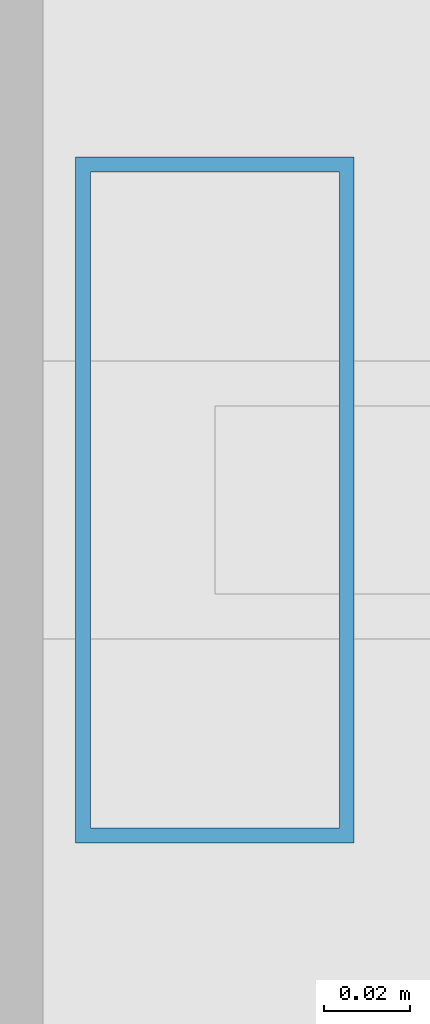
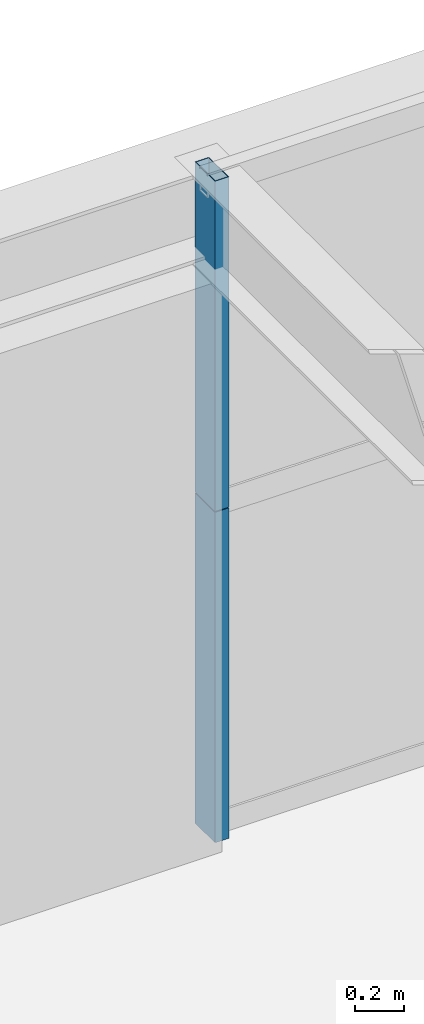
# One storey, part 22 of 34: 2 members, 1 element without a shape of its own.
"""IFC4 building model written with IfcOpenShell, lengths in metres."""

import ifcopenshell
import ifcopenshell.guid

model = None  # the IFC model being written
_history = None  # IfcOwnerHistory: only IFC2X3 demands one
_inside = {}  # id of a spatial element -> (the spatial element, [elements in it])
_under = {}  # id of a project, library or spatial element -> (it, [spatial elements below it])
_declared = {}  # id of a project -> (the project, [libraries it declares])
_typed = {}  # id of a type object -> (the type object, [elements of that type])
_made_of = {}  # id of a material, layer set ... -> (it, [elements and type objects made of it])


def new_model(schema):
    """Start an empty IFC model of exactly this schema.

    Asked for "IFC4X3", IfcOpenShell would pick the latest addendum, in which some entities
    have other attributes; the version numbers below select the first issue.
    IFC2X3 requires an IfcOwnerHistory on every rooted entity: one is made here for all.
    """
    global model, _history
    if schema == "IFC4X3":
        model = ifcopenshell.file(schema_version=(4, 3, 0, 0))
    else:
        model = ifcopenshell.file(schema=schema)
    _inside.clear()
    _under.clear()
    _declared.clear()
    _typed.clear()
    _made_of.clear()
    _history = None
    if model.schema == "IFC2X3":
        org = make("IfcOrganization", Name="unknown")
        user = make(
            "IfcPersonAndOrganization",
            ThePerson=make("IfcPerson", FamilyName="unknown"),
            TheOrganization=org,
        )
        app = make(
            "IfcApplication",
            ApplicationDeveloper=org,
            Version="unknown",
            ApplicationFullName="unknown",
            ApplicationIdentifier="unknown",
        )
        _history = make(
            "IfcOwnerHistory",
            OwningUser=user,
            OwningApplication=app,
            ChangeAction="ADDED",
            CreationDate=0,
        )
    return model


def make(cls, **values):
    """One entity of the class cls with the attributes given. An attribute that is None is left unset."""
    return model.create_entity(
        cls, **{name: value for name, value in values.items() if value is not None}
    )


def rooted(cls, **values):
    """An entity with a GlobalId (a new one), such as an element, a storey or a relation."""
    return make(cls, GlobalId=ifcopenshell.guid.new(), OwnerHistory=_history, **values)


def si_unit(unit_type, name, prefix=None):
    """IfcSIUnit, for example si_unit("LENGTHUNIT", "METRE", prefix="MILLI")."""
    return make("IfcSIUnit", UnitType=unit_type, Prefix=prefix, Name=name)


def assignment(units):
    """IfcUnitAssignment: the units of a project."""
    return None if units is None else make("IfcUnitAssignment", Units=units)


def point(xyz):
    """IfcCartesianPoint."""
    return None if xyz is None else make("IfcCartesianPoint", Coordinates=xyz)


def direction(xyz):
    """IfcDirection."""
    return None if xyz is None else make("IfcDirection", DirectionRatios=xyz)


def frame(location, z_axis=None, x_axis=None):
    """IfcAxis2Placement3D, a coordinate frame: its origin and axes. An axis left out is left unset."""
    return make(
        "IfcAxis2Placement3D",
        Location=point(location),
        Axis=direction(z_axis),
        RefDirection=direction(x_axis),
    )


def frame_2d(location, x_axis=None):
    """IfcAxis2Placement2D, a coordinate frame in the plane: its origin and x axis."""
    return make(
        "IfcAxis2Placement2D", Location=point(location), RefDirection=direction(x_axis)
    )


def origin():
    """The frame at (0, 0, 0) with its axes left unset."""
    return frame((0.0, 0.0, 0.0))


def origin_2d():
    """The frame at (0, 0) in the plane with its x axis left unset."""
    return frame_2d((0.0, 0.0))


def place(relative_to, where):
    """IfcLocalPlacement: puts the frame where relative to a parent placement (None: the world)."""
    return make(
        "IfcLocalPlacement", PlacementRelTo=relative_to, RelativePlacement=where
    )


def context(
    kind, dimensions, precision=None, world=None, true_north=None, identifier=None
):
    """IfcGeometricRepresentationContext, for example the 3D "Model" context."""
    return make(
        "IfcGeometricRepresentationContext",
        ContextIdentifier=identifier,
        ContextType=kind,
        CoordinateSpaceDimension=dimensions,
        Precision=precision,
        WorldCoordinateSystem=world,
        TrueNorth=true_north,
    )


def subcontext(parent, identifier, kind, view, scale=None):
    """IfcGeometricRepresentationSubContext, for example "Body" below "Model"."""
    return make(
        "IfcGeometricRepresentationSubContext",
        ContextIdentifier=identifier,
        ContextType=kind,
        ParentContext=parent,
        TargetScale=scale,
        TargetView=view,
    )


def project(units=None, contexts=None):
    """IfcProject with its units and contexts."""
    return rooted(
        "IfcProject",
        Name="project",
        RepresentationContexts=contexts,
        UnitsInContext=assignment(units),
    )


def spatial(cls, under=None, at=None, **own):
    """A site, building, storey or space (cls), placed at a placement, below another one or the project."""
    s = rooted(cls, ObjectPlacement=at, **own)
    if under is not None:
        _under.setdefault(under.id(), (under, []))[1].append(s)
    return s


def profile(cls, at=None, kind="AREA", **sizes):
    """A parametric profile (cls). Its sizes go by their IFC names, for example OverallWidth=200.0."""
    return make(cls, ProfileType=kind, Position=at, **sizes)


def hollow_rectangle(**sizes):
    """IfcRectangleHollowProfileDef."""
    return profile("IfcRectangleHollowProfileDef", **sizes)


def extrude(swept, where, along, depth):
    """IfcExtrudedAreaSolid: the profile swept, set in the frame where, extruded along a direction by depth."""
    return make(
        "IfcExtrudedAreaSolid",
        SweptArea=swept,
        Position=where,
        ExtrudedDirection=direction(along),
        Depth=depth,
    )


def shape(context_of_items, identifier, shape_type, items):
    """IfcShapeRepresentation: the items that make up one representation, for example the "Body"."""
    return make(
        "IfcShapeRepresentation",
        ContextOfItems=context_of_items,
        RepresentationIdentifier=identifier,
        RepresentationType=shape_type,
        Items=items,
    )


def source(mapping_origin, context_of_items, identifier, shape_type, items):
    """IfcRepresentationMap: a shape defined once, which mapped items show again and again."""
    return make(
        "IfcRepresentationMap",
        MappingOrigin=mapping_origin,
        MappedRepresentation=shape(context_of_items, identifier, shape_type, items),
    )


def transform(
    local_origin,
    x_axis=None,
    y_axis=None,
    z_axis=None,
    scale=None,
    scale2=None,
    scale3=None,
    uniform=True,
):
    """IfcCartesianTransformationOperator3D, or its non-uniform kind. x_axis, y_axis, z_axis: its Axis1, 2, 3."""
    if uniform:
        return make(
            "IfcCartesianTransformationOperator3D",
            Axis1=direction(x_axis),
            Axis2=direction(y_axis),
            LocalOrigin=point(local_origin),
            Scale=scale,
            Axis3=direction(z_axis),
        )
    return make(
        "IfcCartesianTransformationOperator3DnonUniform",
        Axis1=direction(x_axis),
        Axis2=direction(y_axis),
        LocalOrigin=point(local_origin),
        Scale=scale,
        Axis3=direction(z_axis),
        Scale2=scale2,
        Scale3=scale3,
    )


def mapped(mapping_source, mapping_target):
    """IfcMappedItem: shows the shape of a source again, moved by a transform."""
    return make(
        "IfcMappedItem", MappingSource=mapping_source, MappingTarget=mapping_target
    )


def material(Name=None, Category=None):
    """IfcMaterial."""
    return make("IfcMaterial", Name=Name, Category=Category)


def layer(
    of_material, thickness, ventilated=None, Name=None, Category=None, Priority=None
):
    """IfcMaterialLayer: one layer of a wall or slab, of a material (None: an air gap)."""
    return make(
        "IfcMaterialLayer",
        Material=of_material,
        LayerThickness=thickness,
        IsVentilated=ventilated,
        Name=Name,
        Category=Category,
        Priority=Priority,
    )


def layer_set(layers, Name=None):
    """IfcMaterialLayerSet."""
    return make("IfcMaterialLayerSet", MaterialLayers=layers, LayerSetName=Name)


def material_profile(
    of_material, cross_section, Name=None, Category=None, Priority=None
):
    """IfcMaterialProfile: a cross section and its material."""
    return make(
        "IfcMaterialProfile",
        Name=Name,
        Material=of_material,
        Profile=cross_section,
        Priority=Priority,
        Category=Category,
    )


def profile_set(profiles, Name=None, composite=None):
    """IfcMaterialProfileSet."""
    return make(
        "IfcMaterialProfileSet",
        Name=Name,
        MaterialProfiles=profiles,
        CompositeProfile=composite,
    )


def made_of(thing, what):
    """Note that an element or type object is made of a material, layer set ...; save() writes the relation."""
    if what is not None:
        _made_of.setdefault(what.id(), (what, []))[1].append(thing)
    return thing


def type_object(cls, material=None, **own):
    """A type object (cls), such as IfcWallType, which elements share."""
    return made_of(rooted(cls, **own), material)


def element(
    cls,
    number,
    at=None,
    inside=None,
    cuts=None,
    type_object=None,
    material=None,
    context=None,
    identifier="Body",
    shape_type=None,
    held_by="IfcProductDefinitionShape",
    body=None,
    shapes=None,
    **own,
):
    """One element of the class cls, such as IfcWall. Its Tag is "e" and its number.

    at: its placement. inside: the storey or other place that contains it. cuts: it is an
    opening in that element (IfcRelVoidsElement). A single representation is given by context,
    identifier, shape_type and body (its items); several are given by shapes. held_by: the class
    of the entity that holds the representations. save() writes the other relations.
    """
    e = rooted(cls, Tag="e%d" % number, ObjectPlacement=at, **own)
    if body is not None:
        shapes = [shape(context, identifier, shape_type, body)]
    if shapes is not None:
        e.Representation = make(held_by, Representations=shapes)
    if inside is not None:
        _inside.setdefault(inside.id(), (inside, []))[1].append(e)
    if cuts is not None:
        rooted(
            "IfcRelVoidsElement", RelatingBuildingElement=cuts, RelatedOpeningElement=e
        )
    if type_object is not None:
        _typed.setdefault(type_object.id(), (type_object, []))[1].append(e)
    return made_of(e, material)


def aggregate(whole, parts):
    """IfcRelAggregates: a whole, such as a stair, and the parts it consists of."""
    return rooted("IfcRelAggregates", RelatingObject=whole, RelatedObjects=parts)


def save(model, path):
    """Write the relations noted so far, then the file.

    IfcRelAggregates (storeys below a building ...), IfcRelContainedInSpatialStructure (elements
    in a storey), IfcRelDefinesByType, IfcRelAssociatesMaterial and IfcRelDeclares: one each for
    every whole, place, type object, material and project.
    """
    for whole, parts in _under.values():
        aggregate(whole, parts)
    for where, things in _inside.values():
        rooted(
            "IfcRelContainedInSpatialStructure",
            RelatedElements=things,
            RelatingStructure=where,
        )
    for kind, things in _typed.values():
        rooted("IfcRelDefinesByType", RelatedObjects=things, RelatingType=kind)
    for what, things in _made_of.values():
        rooted("IfcRelAssociatesMaterial", RelatedObjects=things, RelatingMaterial=what)
    for by, libraries in _declared.values():
        rooted("IfcRelDeclares", RelatingContext=by, RelatedDefinitions=libraries)
    model.write(path)


model = new_model("IFC4")

# Units and contexts
model_context = context("Model", 3, precision=1e-05, world=origin(), true_north=direction((0.0, 1.0)))
body_context = subcontext(model_context, "Body", "Model", "MODEL_VIEW")
ifc_project = project(units=[si_unit("LENGTHUNIT", "METRE"), si_unit("AREAUNIT", "SQUARE_METRE"), si_unit("VOLUMEUNIT", "CUBIC_METRE"), si_unit("PLANEANGLEUNIT", "RADIAN"), si_unit("MASSUNIT", "GRAM", prefix="KILO"), si_unit("THERMODYNAMICTEMPERATUREUNIT", "KELVIN"), si_unit("POWERUNIT", "WATT")], contexts=[model_context])

# Site, building, storey
site_placement = place(None, origin())
site = spatial("IfcSite", under=ifc_project, at=site_placement, CompositionType="ELEMENT")
building_placement = place(site_placement, origin())
building = spatial("IfcBuilding", under=site, at=building_placement, Name="Yuzanri Waterfront Tower", CompositionType="ELEMENT")
storey_placement = place(building_placement, frame((0.0, 0.0, 241.60009765625)))
storey = spatial("IfcBuildingStorey", under=building, at=storey_placement, Name="L64", CompositionType="ELEMENT", Elevation=241.60009765625)

# Curtain wall, members
ifc_material_1 = material(Name="Anodized Architectural Bronze", Category="metal")
ifc_layer = layer(ifc_material_1, 0.159912109375)
ifc_layer_set = layer_set([ifc_layer], Name="Anodized Architectural Bronze")
curtain_wall_type = type_object("IfcCurtainWallType", Name="Anodized Bronze Mid-Rise Residential Acoustic Unitized Curtain Wall 7200", PredefinedType="NOTDEFINED", material=ifc_layer_set)
curtain_wall_placement = place(storey_placement, origin())
curtain_wall = element("IfcCurtainWall", 1, at=curtain_wall_placement, inside=storey, type_object=curtain_wall_type, Name="L64 Curtain Wall CW-L64-NL", PredefinedType="NOTDEFINED")
ifc_material_2 = material(Name="Anodized Architectural Bronze", Category="metal")
ifc_material_profile = material_profile(ifc_material_2, hollow_rectangle(XDim=0.06494140625, YDim=0.159912109375, WallThickness=0.00341796875, at=origin_2d()), Name="CWM 65x160")
ifc_profile_set = profile_set([ifc_material_profile], Name="Anodized Architectural Bronze")
member_type = type_object("IfcMemberType", Name="Anodized Bronze Upper-Zone Curtain-Wall Mullion 65x160", PredefinedType="MULLION", material=ifc_profile_set)
shared_shape = source(origin(), body_context, "Body", "SweptSolid", [
    extrude(hollow_rectangle(XDim=0.06494140625, YDim=0.159912109375, WallThickness=0.00341796875, at=origin_2d()), origin(), (0.0, 0.0, 1.0), 1.637939453125),
])
member_1_placement = place(storey_placement, frame((23.7900390625, 46.25, 0.0), z_axis=(0.0, 0.0, 1.0), x_axis=(1.0, 0.0, 0.0)))
member_1 = element("IfcMember", 2, at=member_1_placement, type_object=member_type, Name="CW-L64-NL Lower Mullion 00", PredefinedType="MULLION", context=body_context, shape_type="MappedRepresentation", body=[
    mapped(shared_shape, transform((0.0, 0.0, 0.0), scale=1.0)),
])
member_2_placement = place(storey_placement, frame((23.7900390625, 46.25, 1.641845703125), z_axis=(0.0, 0.0, 1.0), x_axis=(1.0, 0.0, 0.0)))
member_2 = element("IfcMember", 3, at=member_2_placement, type_object=member_type, Name="CW-L64-NL Upper Mullion 00", PredefinedType="MULLION", context=body_context, shape_type="MappedRepresentation", body=[
    mapped(shared_shape, transform((0.0, 0.0, 0.0), scale=1.0)),
])
aggregate(curtain_wall, [member_1, member_2])

save(model, "model.ifc")
